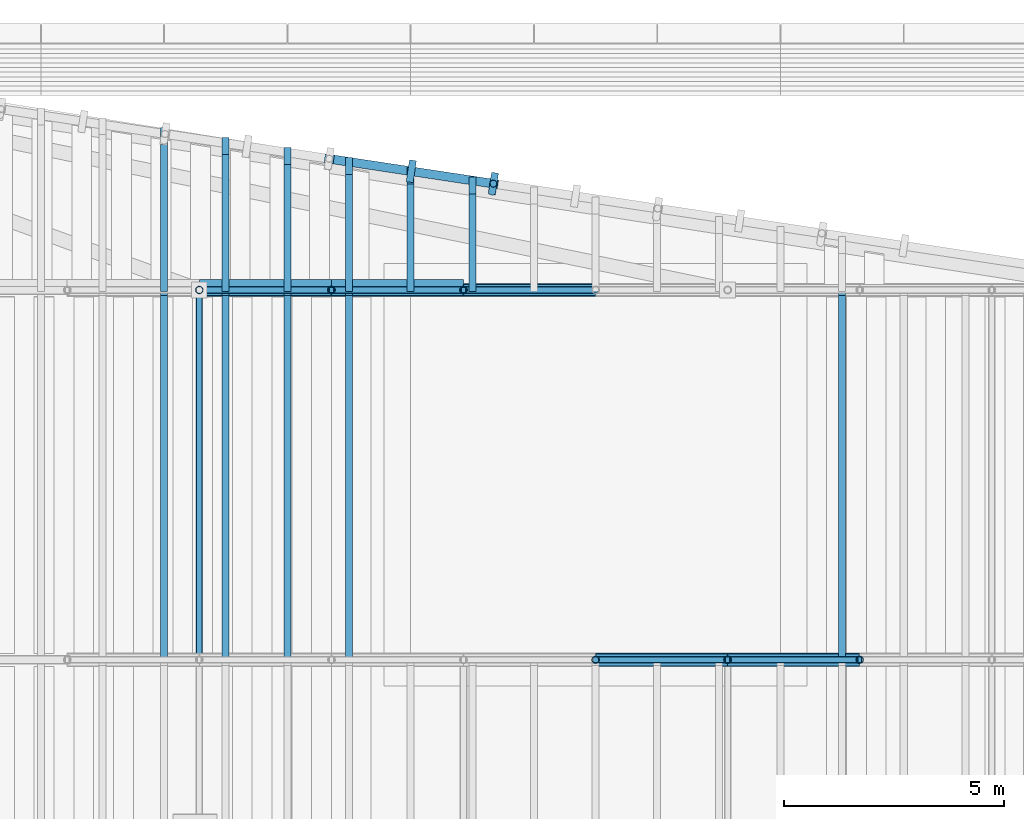
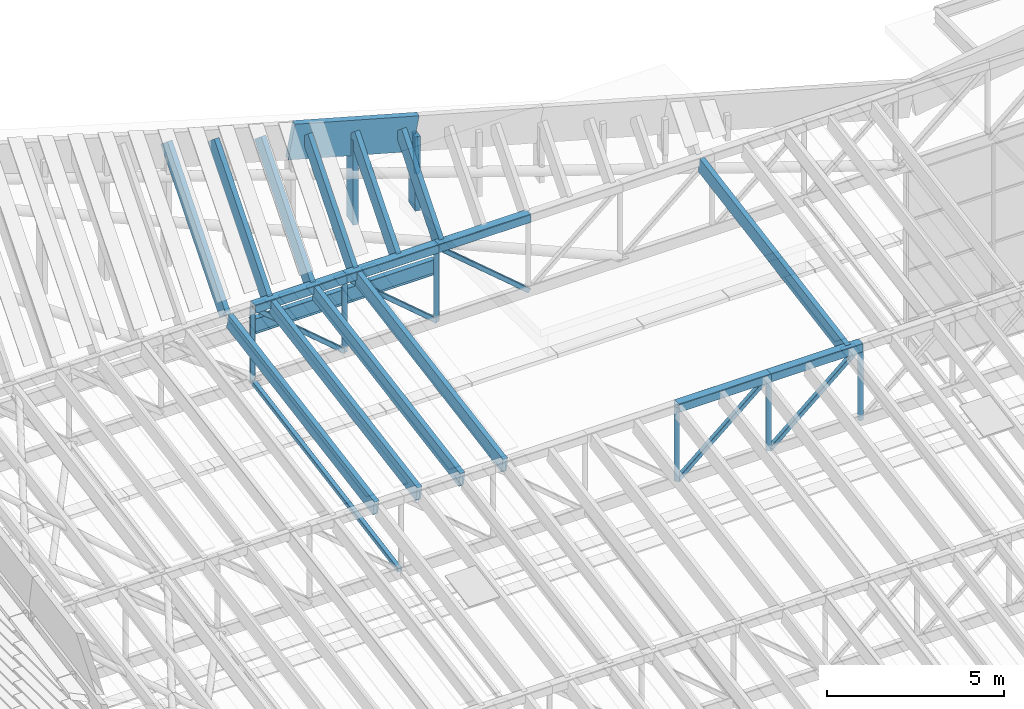
# One storey, part 42 of 91: 31 members, 3 beams.
"""IFC4 building model written with IfcOpenShell, lengths in metres."""

from ifc_helpers import new_model, si_unit, direction, frame, origin, origin_2d, place, context, subcontext, project, spatial, rectangle, hollow_rectangle, hollow_circle, i_section, extrude, material, material_profile, profile_set, type_object, element, save


model = new_model("IFC4")

# Units and contexts
model_context = context("Model", 3, precision=1e-05, world=origin(), true_north=direction((0.0, 1.0)))
body_context = subcontext(model_context, "Body", "Model", "MODEL_VIEW")
ifc_project = project(units=[si_unit("LENGTHUNIT", "METRE"), si_unit("AREAUNIT", "SQUARE_METRE"), si_unit("VOLUMEUNIT", "CUBIC_METRE"), si_unit("PLANEANGLEUNIT", "RADIAN"), si_unit("MASSUNIT", "GRAM", prefix="KILO")], contexts=[model_context])

# Site, building, storey
site_placement = place(None, origin())
site = spatial("IfcSite", under=ifc_project, at=site_placement, CompositionType="ELEMENT")
building_placement = place(site_placement, origin())
building = spatial("IfcBuilding", under=site, at=building_placement, Name="Almond Square Museum", CompositionType="ELEMENT")
storey_placement = place(building_placement, frame((0.0, 0.0, 30.0)))
storey = spatial("IfcBuildingStorey", under=building, at=storey_placement, Name="L05", CompositionType="ELEMENT", Elevation=30.0)

# Beams
ifc_material_1 = material(Name="Structural steel S355", Category="steel")
ifc_material_profile_1 = material_profile(ifc_material_1, i_section(OverallWidth=0.166015625, OverallDepth=0.528076171875, WebThickness=0.009765625, FlangeThickness=0.013671875, at=origin_2d()))
ifc_profile_set_1 = profile_set([ifc_material_profile_1], Name="Structural steel S355")
beam_type_1 = type_object("IfcBeamType", Name="Eave beam W530x74", PredefinedType="BEAM", material=ifc_profile_set_1)
for number, where, z_axis, x_axis, name in (
    (1, (118.800048828125, 109.35791015625, 15.781005859375), (1.0, 0.0, 0.0), (0.0, 1.0, 0.0), "Prow edge beam"),
    (2, (121.800048828125, 109.35791015625, 15.781005859375), (1.0, 0.0, 0.0), (0.0, 1.0, 0.0), "Prow edge beam"),
):
    element("IfcBeam", number, at=place(storey_placement, frame(where, z_axis=z_axis, x_axis=x_axis)), inside=storey, type_object=beam_type_1, Name=name, PredefinedType="BEAM", context=body_context, shape_type="SweptSolid", body=[
        extrude(i_section(OverallWidth=0.166015625, OverallDepth=0.528076171875, WebThickness=0.009765625, FlangeThickness=0.013671875, at=origin_2d()), origin(), (0.0, 0.0, 1.0), 3.0),
    ])

# Members
ifc_material_2 = material(Name="Structural steel S355", Category="steel")
ifc_material_profile_2 = material_profile(ifc_material_2, hollow_circle(Radius=0.084228515625, WallThickness=0.008056640625, at=origin_2d()))
ifc_profile_set_2 = profile_set([ifc_material_profile_2], Name="Structural steel S355")
member_type_1 = type_object("IfcMemberType", Name="Fascia post CHS 168.3x8", PredefinedType="POST", material=ifc_profile_set_2)
member_1_placement = place(storey_placement, frame((125.451904296875, 111.4345703125, 17.507568359375), z_axis=(0.021621803744, 0.138755575334, 0.990090595813), x_axis=(-0.988075765162, 0.153968445791, 0.0)))
element("IfcMember", 3, at=member_1_placement, inside=storey, type_object=member_type_1, Name="Prow edge post 4", PredefinedType="POST", context=body_context, shape_type="SweptSolid", body=[
    extrude(hollow_circle(Radius=0.084228515625, WallThickness=0.008056640625, at=origin_2d()), origin(), (0.0, 0.0, 1.0), 1.298583984375),
])
ifc_material_3 = material(Name="Glulam GL28h", Category="wood")
ifc_material_profile_3 = material_profile(ifc_material_3, rectangle(XDim=0.159912109375, YDim=0.5, at=origin_2d()))
ifc_profile_set_3 = profile_set([ifc_material_profile_3], Name="Glulam GL28h")
member_type_2 = type_object("IfcMemberType", Name="Gable stud GL28h 160x500", PredefinedType="POST", material=ifc_profile_set_3)
member_2_placement = place(storey_placement, frame((125.47998046875, 111.61474609375, 16.227294921875), z_axis=(0.0, 0.0, 1.0), x_axis=(-0.988752832318, 0.149558806438, 0.0)))
element("IfcMember", 4, at=member_2_placement, inside=storey, type_object=member_type_2, Name="Prow gable stud 8", PredefinedType="POST", context=body_context, shape_type="SweptSolid", body=[
    extrude(rectangle(XDim=0.159912109375, YDim=0.5, at=origin_2d()), origin(), (0.0, 0.0, 1.0), 2.56591796875),
])
member_3_placement = place(storey_placement, frame((123.614990234375, 111.89697265625, 16.227294921875), z_axis=(0.0, 0.0, 1.0), x_axis=(-0.988752832318, 0.149558806438, 0.0)))
element("IfcMember", 5, at=member_3_placement, inside=storey, type_object=member_type_2, Name="Prow gable stud 9", PredefinedType="POST", context=body_context, shape_type="SweptSolid", body=[
    extrude(rectangle(XDim=0.159912109375, YDim=0.5, at=origin_2d()), origin(), (0.0, 0.0, 1.0), 2.902099609375),
])
ifc_material_4 = material(Name="Glulam GL28h", Category="wood")
ifc_material_profile_4 = material_profile(ifc_material_4, rectangle(XDim=0.159912109375, YDim=0.5, at=origin_2d()))
ifc_profile_set_4 = profile_set([ifc_material_profile_4], Name="Glulam GL28h")
member_type_3 = type_object("IfcMemberType", Name="Glulam rafter GL28h 160x500", PredefinedType="RAFTER", material=ifc_profile_set_4)
for number, where, z_axis, x_axis, name in (
    (6, (118.0, 100.830078125, 14.969970703125), (0.0, 0.985031576373, 0.172373993248), (-1.0, 0.0, 0.0), "Hall rafter 7.9"),
    (7, (119.39990234375, 100.830078125, 14.969970703125), (0.0, 0.985031576373, 0.172373993248), (-1.0, 0.0, 0.0), "Hall rafter 7.10"),
    (8, (120.800048828125, 100.830078125, 14.969970703125), (0.0, 0.985031576373, 0.172373993248), (-1.0, 0.0, 0.0), "Hall rafter 7.11"),
    (9, (122.199951171875, 100.830078125, 14.969970703125), (0.0, 0.985031576373, 0.172373993248), (-1.0, 0.0, 0.0), "Hall rafter 7.12"),
    (10, (133.39990234375, 100.830078125, 14.969970703125), (0.0, 0.985031576373, 0.172373993248), (-1.0, 0.0, 0.0), "Hall rafter 7.20"),
):
    element("IfcMember", number, at=place(storey_placement, frame(where, z_axis=z_axis, x_axis=x_axis)), inside=storey, type_object=member_type_3, Name=name, PredefinedType="RAFTER", context=body_context, shape_type="SweptSolid", body=[
        extrude(rectangle(XDim=0.159912109375, YDim=0.5, at=origin_2d()), origin(), (0.0, 0.0, 1.0), 8.408935546875),
    ])
member_4_placement = place(storey_placement, frame((118.0, 109.35791015625, 16.433837890625), z_axis=(0.0, 0.642809138738, 0.766026377584), x_axis=(-1.0, 0.0, 0.0)))
element("IfcMember", 11, at=member_4_placement, inside=storey, type_object=member_type_3, Name="Prow rafter 9", PredefinedType="RAFTER", context=body_context, shape_type="SweptSolid", body=[
    extrude(rectangle(XDim=0.159912109375, YDim=0.5, at=origin_2d()), origin(), (0.0, 0.0, 1.0), 5.189208984375),
])
member_5_placement = place(storey_placement, frame((119.39990234375, 109.35791015625, 16.433837890625), z_axis=(0.0, 0.642800427035, 0.766033687904), x_axis=(-1.0, 0.0, 0.0)))
element("IfcMember", 12, at=member_5_placement, inside=storey, type_object=member_type_3, Name="Prow rafter 10", PredefinedType="RAFTER", context=body_context, shape_type="SweptSolid", body=[
    extrude(rectangle(XDim=0.159912109375, YDim=0.5, at=origin_2d()), origin(), (0.0, 0.0, 1.0), 4.83984375),
])
member_6_placement = place(storey_placement, frame((120.800048828125, 109.35791015625, 16.433837890625), z_axis=(0.0, 0.642790359731, 0.76604213555), x_axis=(-1.0, 0.0, 0.0)))
element("IfcMember", 13, at=member_6_placement, inside=storey, type_object=member_type_3, Name="Prow rafter 11", PredefinedType="RAFTER", context=body_context, shape_type="SweptSolid", body=[
    extrude(rectangle(XDim=0.159912109375, YDim=0.5, at=origin_2d()), origin(), (0.0, 0.0, 1.0), 4.490478515625),
])
member_7_placement = place(storey_placement, frame((122.199951171875, 109.35791015625, 16.433837890625), z_axis=(0.0, 0.642807623766, 0.766027648867), x_axis=(-1.0, 0.0, 0.0)))
element("IfcMember", 14, at=member_7_placement, inside=storey, type_object=member_type_3, Name="Prow rafter 12", PredefinedType="RAFTER", context=body_context, shape_type="SweptSolid", body=[
    extrude(rectangle(XDim=0.159912109375, YDim=0.5, at=origin_2d()), origin(), (0.0, 0.0, 1.0), 4.14111328125),
])
member_8_placement = place(storey_placement, frame((123.60009765625, 109.35791015625, 16.433837890625), z_axis=(0.0, 0.642796363988, 0.766037097302), x_axis=(-1.0, 0.0, 0.0)))
element("IfcMember", 15, at=member_8_placement, inside=storey, type_object=member_type_3, Name="Prow rafter 13", PredefinedType="RAFTER", context=body_context, shape_type="SweptSolid", body=[
    extrude(rectangle(XDim=0.159912109375, YDim=0.5, at=origin_2d()), origin(), (0.0, 0.0, 1.0), 3.791748046875),
])
member_9_placement = place(storey_placement, frame((125.0, 109.35791015625, 16.433837890625), z_axis=(0.0, 0.642782818552, 0.766048463332), x_axis=(-1.0, 0.0, 0.0)))
element("IfcMember", 16, at=member_9_placement, inside=storey, type_object=member_type_3, Name="Prow rafter 14", PredefinedType="RAFTER", context=body_context, shape_type="SweptSolid", body=[
    extrude(rectangle(XDim=0.159912109375, YDim=0.5, at=origin_2d()), origin(), (0.0, 0.0, 1.0), 3.4423828125),
])

# Beam
ifc_material_5 = material(Name="Glulam GL28h", Category="wood")
ifc_material_profile_5 = material_profile(ifc_material_5, rectangle(XDim=0.199951171875, YDim=1.199951171875, at=origin_2d()))
ifc_profile_set_5 = profile_set([ifc_material_profile_5], Name="Glulam GL28h")
beam_type_2 = type_object("IfcBeamType", Name="Rake fascia beam GL28h 200x1200", PredefinedType="BEAM", material=ifc_profile_set_5)
beam_placement = place(storey_placement, frame((125.47998046875, 111.61474609375, 18.793212890625), z_axis=(-0.973412266922, 0.147241507321, 0.175466512836), x_axis=(-0.149561900376, -0.988752364324, 0.0)))
element("IfcBeam", 17, at=beam_placement, inside=storey, type_object=beam_type_2, Name="Prow edge fascia 5", PredefinedType="BEAM", context=body_context, shape_type="SweptSolid", body=[
    extrude(rectangle(XDim=0.199951171875, YDim=1.199951171875, at=origin_2d()), origin(), (0.0, 0.0, 1.0), 3.831787109375),
])

# Members
ifc_material_6 = material(Name="Structural steel S355", Category="steel")
ifc_material_profile_6 = material_profile(ifc_material_6, hollow_rectangle(XDim=0.300048828125, YDim=0.300048828125, WallThickness=0.012451171875, InnerFilletRadius=0.02490234375, OuterFilletRadius=0.03759765625, at=origin_2d()))
ifc_profile_set_6 = profile_set([ifc_material_profile_6], Name="Structural steel S355")
member_type_4 = type_object("IfcMemberType", Name="Truss chord SHS 300x300x12.5", PredefinedType="CHORD", material=ifc_profile_set_6)
for number, where, z_axis, x_axis, name in (
    (18, (127.800048828125, 100.800048828125, 15.068603515625), (1.0, 0.0, 0.0), (0.0, 1.0, 0.0), "TR-07 top chord 8"),
    (19, (130.800048828125, 100.800048828125, 15.068603515625), (1.0, 0.0, 0.0), (0.0, 1.0, 0.0), "TR-07 top chord 9"),
    (20, (118.800048828125, 109.199951171875, 16.53857421875), (1.0, 0.0, 0.0), (0.0, 1.0, 0.0), "TR-08 top chord 5"),
    (21, (121.800048828125, 109.199951171875, 16.53857421875), (1.0, 0.0, 0.0), (0.0, 1.0, 0.0), "TR-08 top chord 6"),
    (22, (124.800048828125, 109.199951171875, 16.53857421875), (1.0, 0.0, 0.0), (0.0, 1.0, 0.0), "TR-08 top chord 7"),
):
    element("IfcMember", number, at=place(storey_placement, frame(where, z_axis=z_axis, x_axis=x_axis)), inside=storey, type_object=member_type_4, Name=name, PredefinedType="CHORD", context=body_context, shape_type="SweptSolid", body=[
        extrude(hollow_rectangle(XDim=0.300048828125, YDim=0.300048828125, WallThickness=0.012451171875, InnerFilletRadius=0.02490234375, OuterFilletRadius=0.03759765625, at=origin_2d()), origin(), (0.0, 0.0, 1.0), 3.0),
    ])
ifc_material_7 = material(Name="Structural steel S355", Category="steel")
ifc_material_profile_7 = material_profile(ifc_material_7, hollow_rectangle(XDim=0.14990234375, YDim=0.14990234375, WallThickness=0.008056640625, InnerFilletRadius=0.011962890625, OuterFilletRadius=0.02001953125, at=origin_2d()))
ifc_profile_set_7 = profile_set([ifc_material_profile_7], Name="Structural steel S355")
member_type_5 = type_object("IfcMemberType", Name="Truss diagonal SHS 150x150x8", PredefinedType="BRACE", material=ifc_profile_set_7)
for number, where, z_axis, x_axis, name in (
    (23, (127.800048828125, 100.800048828125, 12.52001953125), (0.762116801264, 0.0, 0.647439557975), (0.0, 1.0, 0.0), "TR-07 diagonal 8"),
    (24, (130.800048828125, 100.800048828125, 12.52001953125), (0.762116801264, 0.0, 0.647439557975), (0.0, 1.0, 0.0), "TR-07 diagonal 9"),
    (25, (118.800048828125, 109.199951171875, 16.53857421875), (0.762116801264, 0.0, -0.647439557975), (0.0, 1.0, 0.0), "TR-08 diagonal 5"),
    (26, (121.800048828125, 109.199951171875, 16.53857421875), (0.762116801264, 0.0, -0.647439557975), (0.0, 1.0, 0.0), "TR-08 diagonal 6"),
    (27, (124.800048828125, 109.199951171875, 16.53857421875), (0.762116801264, 0.0, -0.647439557975), (0.0, 1.0, 0.0), "TR-08 diagonal 7"),
):
    element("IfcMember", number, at=place(storey_placement, frame(where, z_axis=z_axis, x_axis=x_axis)), inside=storey, type_object=member_type_5, Name=name, PredefinedType="BRACE", context=body_context, shape_type="SweptSolid", body=[
        extrude(hollow_rectangle(XDim=0.14990234375, YDim=0.14990234375, WallThickness=0.008056640625, InnerFilletRadius=0.011962890625, OuterFilletRadius=0.02001953125, at=origin_2d()), origin(), (0.0, 0.0, 1.0), 3.9365234375),
    ])
ifc_material_8 = material(Name="Structural steel S355", Category="steel")
ifc_material_profile_8 = material_profile(ifc_material_8, hollow_circle(Radius=0.084228515625, WallThickness=0.008056640625, at=origin_2d()))
ifc_profile_set_8 = profile_set([ifc_material_profile_8], Name="Structural steel S355")
member_type_6 = type_object("IfcMemberType", Name="Truss post CHS 168.3x8", PredefinedType="POST", material=ifc_profile_set_8)
for number, where, z_axis, x_axis, name in (
    (28, (127.800048828125, 100.800048828125, 12.52001953125), (0.0, 0.0, 1.0), (1.0, 0.0, 0.0), "TR-07 post 8"),
    (29, (130.800048828125, 100.800048828125, 12.52001953125), (0.0, 0.0, 1.0), (1.0, 0.0, 0.0), "TR-07 post 9"),
    (30, (133.800048828125, 100.800048828125, 12.52001953125), (0.0, 0.0, 1.0), (1.0, 0.0, 0.0), "TR-07 post 10"),
    (31, (118.800048828125, 109.199951171875, 13.989990234375), (0.0, 0.0, 1.0), (1.0, 0.0, 0.0), "TR-08 post 5"),
    (32, (121.800048828125, 109.199951171875, 13.989990234375), (0.0, 0.0, 1.0), (1.0, 0.0, 0.0), "TR-08 post 6"),
    (33, (124.800048828125, 109.199951171875, 13.989990234375), (0.0, 0.0, 1.0), (1.0, 0.0, 0.0), "TR-08 post 7"),
):
    element("IfcMember", number, at=place(storey_placement, frame(where, z_axis=z_axis, x_axis=x_axis)), inside=storey, type_object=member_type_6, Name=name, PredefinedType="POST", context=body_context, shape_type="SweptSolid", body=[
        extrude(hollow_circle(Radius=0.084228515625, WallThickness=0.008056640625, at=origin_2d()), origin(), (0.0, 0.0, 1.0), 2.548583984375),
    ])
ifc_material_9 = material(Name="Structural steel S355", Category="steel")
ifc_material_profile_9 = material_profile(ifc_material_9, hollow_rectangle(XDim=0.14990234375, YDim=0.14990234375, WallThickness=0.008056640625, InnerFilletRadius=0.011962890625, OuterFilletRadius=0.02001953125, at=origin_2d()))
ifc_profile_set_9 = profile_set([ifc_material_profile_9], Name="Structural steel S355")
member_type_7 = type_object("IfcMemberType", Name="Truss tie SHS 150x150x8", PredefinedType="MEMBER", material=ifc_profile_set_9)
member_10_placement = place(storey_placement, frame((118.800048828125, 100.875, 12.52001953125), z_axis=(0.0, 0.984494486924, 0.175415521596), x_axis=(-1.0, 0.0, 0.0)))
element("IfcMember", 34, at=member_10_placement, inside=storey, type_object=member_type_7, Name="Hall bay 7 tie 3", PredefinedType="MEMBER", context=body_context, shape_type="SweptSolid", body=[
    extrude(hollow_rectangle(XDim=0.14990234375, YDim=0.14990234375, WallThickness=0.008056640625, InnerFilletRadius=0.011962890625, OuterFilletRadius=0.02001953125, at=origin_2d()), origin(), (0.0, 0.0, 1.0), 8.3798828125),
])

save(model, "model.ifc")
